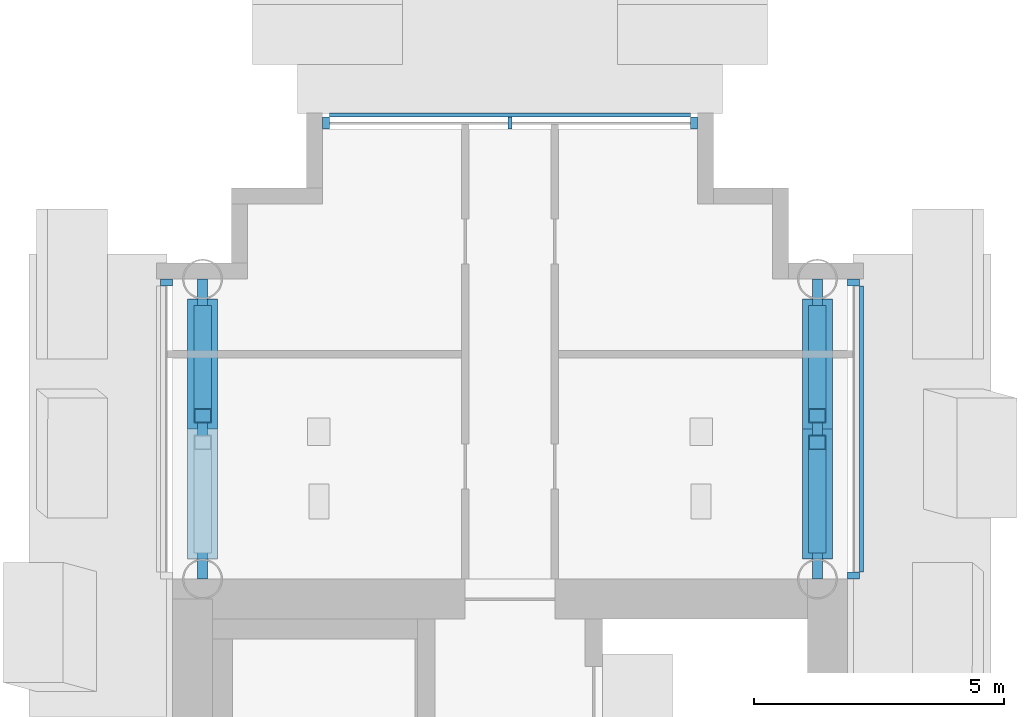
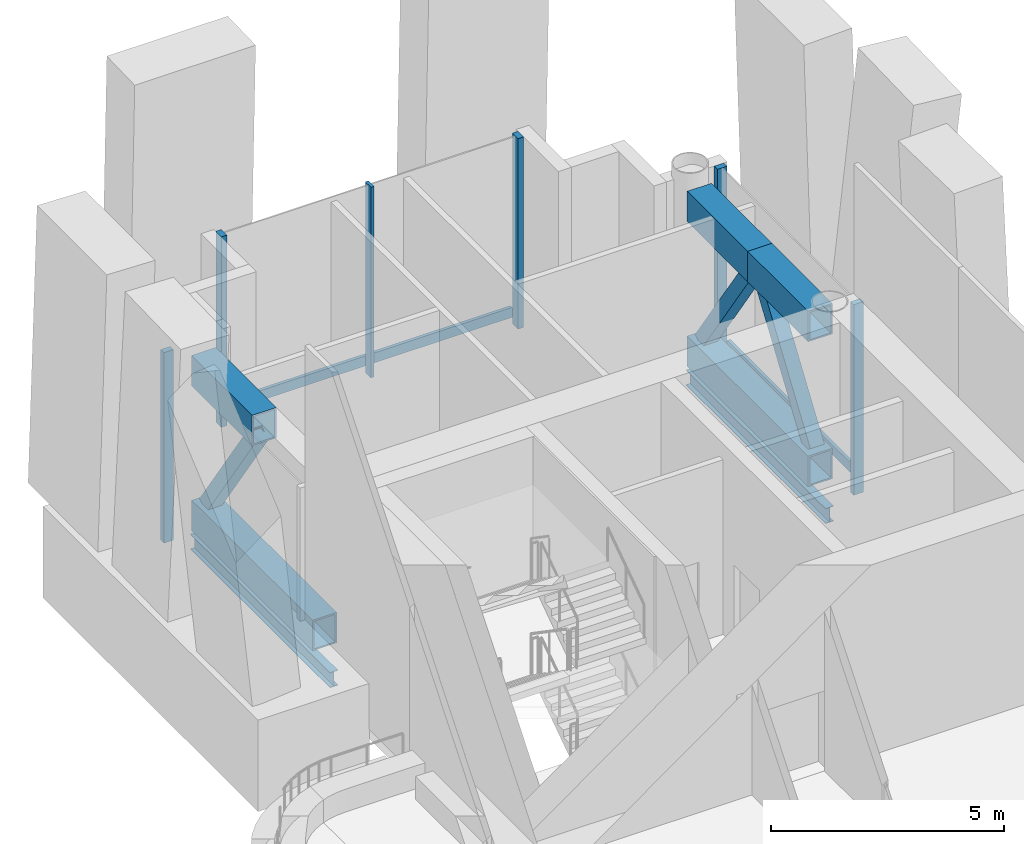
# One storey, part 8 of 34: 16 members, 2 beams, 3 elements without a shape of their own.
"""IFC4 building model written with IfcOpenShell, lengths in metres."""

from ifc_helpers import new_model, si_unit, direction, frame, origin, origin_2d, place, context, subcontext, project, spatial, rectangle, hollow_rectangle, i_section, extrude, material, layer, layer_set, material_profile, profile_set, type_object, element, aggregate, save


model = new_model("IFC4")

# Units and contexts
model_context = context("Model", 3, precision=1e-05, world=origin(), true_north=direction((0.0, 1.0)))
body_context = subcontext(model_context, "Body", "Model", "MODEL_VIEW")
ifc_project = project(units=[si_unit("LENGTHUNIT", "METRE"), si_unit("AREAUNIT", "SQUARE_METRE"), si_unit("VOLUMEUNIT", "CUBIC_METRE"), si_unit("PLANEANGLEUNIT", "RADIAN"), si_unit("MASSUNIT", "GRAM", prefix="KILO")], contexts=[model_context])

# Site, building, storey
site_placement = place(None, origin())
site = spatial("IfcSite", under=ifc_project, at=site_placement, CompositionType="ELEMENT")
building_placement = place(site_placement, origin())
building = spatial("IfcBuilding", under=site, at=building_placement, Name="Ipe Terrace Towers", CompositionType="ELEMENT")
storey_placement = place(building_placement, frame((0.0, 0.0, 128.699951171875)))
storey = spatial("IfcBuildingStorey", under=building, at=storey_placement, Name="L35", CompositionType="ELEMENT", Elevation=128.699951171875)

# Beams
ifc_material_1 = material(Name="Steel S355", Category="steel")
ifc_material_profile_1 = material_profile(ifc_material_1, i_section(OverallWidth=0.199951171875, OverallDepth=0.39990234375, WebThickness=0.008056640625, FlangeThickness=0.012939453125, at=origin_2d()), Name="H-400x200x8x13")
ifc_profile_set_1 = profile_set([ifc_material_profile_1], Name="Steel S355")
beam_type = type_object("IfcBeamType", Name="H06 EDGE BEAM H-400x200x8x13", PredefinedType="BEAM", material=ifc_profile_set_1)
for number, where, z_axis, x_axis, name in (
    (1, (42.14990234375, 15.75, -0.599853515625), (0.0, 1.0, 0.0), (-1.0, 0.0, 0.0), "Edge beam T2-EB-A01-A03"),
    (2, (29.85009765625, 15.75, -0.599853515625), (0.0, 1.0, 0.0), (-1.0, 0.0, 0.0), "Edge beam T2-EB-A02-A04"),
):
    element("IfcBeam", number, at=place(storey_placement, frame(where, z_axis=z_axis, x_axis=x_axis)), inside=storey, type_object=beam_type, Name=name, PredefinedType="BEAM", context=body_context, shape_type="SweptSolid", body=[
        extrude(i_section(OverallWidth=0.199951171875, OverallDepth=0.39990234375, WebThickness=0.008056640625, FlangeThickness=0.012939453125, at=origin_2d()), origin(), (0.0, 0.0, 1.0), 6.0),
    ])

# Members
ifc_material_2 = material(Name="Steel S355", Category="steel")
ifc_material_profile_2 = material_profile(ifc_material_2, hollow_rectangle(XDim=0.35009765625, YDim=0.35009765625, WallThickness=0.02001953125, at=origin_2d()), Name="OUTRIGGER-BRACE BOX 350x350x20")
ifc_profile_set_2 = profile_set([ifc_material_profile_2], Name="Steel S355")
member_type_1 = type_object("IfcMemberType", Name="OUTRIGGER-BRACE BOX 350x350x20", PredefinedType="BRACE", material=ifc_profile_set_2)
for number, where, z_axis, x_axis, name in (
    (3, (29.85009765625, 21.0830078125, 0.780029296875), (0.0, -0.56206654505, 0.827092013585), (1.0, 0.0, 0.0), "T2-OR-L35-197 diagonal"),
    (4, (42.14990234375, 16.4169921875, 0.780029296875), (0.0, 0.56206654505, 0.827092013585), (-1.0, 0.0, 0.0), "T2-OR-L35-201 diagonal"),
    (5, (42.14990234375, 21.0830078125, 0.780029296875), (0.0, -0.56206654505, 0.827092013585), (1.0, 0.0, 0.0), "T2-OR-L35-202 diagonal"),
):
    element("IfcMember", number, at=place(storey_placement, frame(where, z_axis=z_axis, x_axis=x_axis)), inside=storey, type_object=member_type_1, Name=name, PredefinedType="BRACE", context=body_context, shape_type="SweptSolid", body=[
        extrude(hollow_rectangle(XDim=0.35009765625, YDim=0.35009765625, WallThickness=0.02001953125, at=origin_2d()), origin(), (0.0, 0.0, 1.0), 3.675537109375),
    ])
ifc_material_3 = material(Name="Steel S355", Category="steel")
ifc_material_profile_3 = material_profile(ifc_material_3, hollow_rectangle(XDim=0.60009765625, YDim=0.800048828125, WallThickness=0.0400390625, at=origin_2d()), Name="OUTRIGGER-CHORD BOX 600x800x40")
ifc_profile_set_3 = profile_set([ifc_material_profile_3], Name="Steel S355")
member_type_2 = type_object("IfcMemberType", Name="OUTRIGGER-CHORD BOX 600x800x40", PredefinedType="CHORD", material=ifc_profile_set_3)
member_1_placement = place(storey_placement, frame((29.85009765625, 16.14990234375, 0.400146484375), z_axis=(0.0, 1.0, 0.0), x_axis=(-1.0, 0.0, 0.0)))
element("IfcMember", 6, at=member_1_placement, inside=storey, type_object=member_type_2, Name="T2-OR-L35-195 bottom chord", PredefinedType="CHORD", context=body_context, shape_type="SweptSolid", body=[
    extrude(hollow_rectangle(XDim=0.60009765625, YDim=0.800048828125, WallThickness=0.0400390625, at=origin_2d()), origin(), (0.0, 0.0, 1.0), 5.2001953125),
])
member_2_placement = place(storey_placement, frame((29.85009765625, 18.75, 4.199951171875), z_axis=(0.0, 1.0, 0.0), x_axis=(-1.0, 0.0, 0.0)))
element("IfcMember", 7, at=member_2_placement, inside=storey, type_object=member_type_2, Name="T2-OR-L35-199 top chord", PredefinedType="CHORD", context=body_context, shape_type="SweptSolid", body=[
    extrude(hollow_rectangle(XDim=0.60009765625, YDim=0.800048828125, WallThickness=0.0400390625, at=origin_2d()), origin(), (0.0, 0.0, 1.0), 2.60009765625),
])
member_3_placement = place(storey_placement, frame((42.14990234375, 16.14990234375, 0.400146484375), z_axis=(0.0, 1.0, 0.0), x_axis=(-1.0, 0.0, 0.0)))
element("IfcMember", 8, at=member_3_placement, inside=storey, type_object=member_type_2, Name="T2-OR-L35-200 bottom chord", PredefinedType="CHORD", context=body_context, shape_type="SweptSolid", body=[
    extrude(hollow_rectangle(XDim=0.60009765625, YDim=0.800048828125, WallThickness=0.0400390625, at=origin_2d()), origin(), (0.0, 0.0, 1.0), 5.2001953125),
])
for number, where, z_axis, x_axis, name in (
    (9, (42.14990234375, 16.14990234375, 4.199951171875), (0.0, 1.0, 0.0), (-1.0, 0.0, 0.0), "T2-OR-L35-203 top chord"),
    (10, (42.14990234375, 18.75, 4.199951171875), (0.0, 1.0, 0.0), (-1.0, 0.0, 0.0), "T2-OR-L35-204 top chord"),
):
    element("IfcMember", number, at=place(storey_placement, frame(where, z_axis=z_axis, x_axis=x_axis)), inside=storey, type_object=member_type_2, Name=name, PredefinedType="CHORD", context=body_context, shape_type="SweptSolid", body=[
        extrude(hollow_rectangle(XDim=0.60009765625, YDim=0.800048828125, WallThickness=0.0400390625, at=origin_2d()), origin(), (0.0, 0.0, 1.0), 2.60009765625),
    ])

# Curtain wall, members
ifc_material_4 = material(Name="Aluminium alloy 6063-T6", Category="aluminium")
ifc_layer = layer(ifc_material_4, 0.320068359375)
ifc_layer_set = layer_set([ifc_layer], Name="REFUGE FLOOR CURTAIN WALL")
curtain_wall_type = type_object("IfcCurtainWallType", Name="REFUGE FLOOR CURTAIN WALL", PredefinedType="NOTDEFINED", material=ifc_layer_set)
curtain_wall_1_placement = place(storey_placement, origin())
curtain_wall_1 = element("IfcCurtainWall", 11, at=curtain_wall_1_placement, inside=storey, type_object=curtain_wall_type, Name="T2-CW-L35-16b curtain wall", PredefinedType="NOTDEFINED")
ifc_material_5 = material(Name="Aluminium alloy 6063-T6", Category="aluminium")
ifc_material_profile_4 = material_profile(ifc_material_5, rectangle(XDim=0.239990234375, YDim=0.139892578125, at=origin_2d()), Name="REFUGE FLOOR CORNER MULLION 240 x 140")
ifc_profile_set_4 = profile_set([ifc_material_profile_4], Name="Aluminium alloy 6063-T6")
member_type_3 = type_object("IfcMemberType", Name="REFUGE FLOOR CORNER MULLION 240 x 140", PredefinedType="MULLION", material=ifc_profile_set_4)
member_4_placement = place(storey_placement, frame((42.8701171875, 15.821044921875, -0.300048828125), z_axis=(0.0, 0.0, 1.0), x_axis=(1.0, 0.0, 0.0)))
member_4 = element("IfcMember", 12, at=member_4_placement, type_object=member_type_3, Name="T2-CW-L35-16b mullion 1", PredefinedType="MULLION", context=body_context, shape_type="SweptSolid", body=[
    extrude(rectangle(XDim=0.239990234375, YDim=0.139892578125, at=origin_2d()), origin(), (0.0, 0.0, 1.0), 5.0),
])
member_5_placement = place(storey_placement, frame((42.8701171875, 21.679931640625, -0.300048828125), z_axis=(0.0, 0.0, 1.0), x_axis=(1.0, 0.0, 0.0)))
member_5 = element("IfcMember", 13, at=member_5_placement, type_object=member_type_3, Name="T2-CW-L35-16b mullion 2", PredefinedType="MULLION", context=body_context, shape_type="SweptSolid", body=[
    extrude(rectangle(XDim=0.239990234375, YDim=0.139892578125, at=origin_2d()), origin(), (0.0, 0.0, 1.0), 5.0),
])

curtain_wall_2_placement = place(storey_placement, origin())
curtain_wall_2 = element("IfcCurtainWall", 14, at=curtain_wall_2_placement, inside=storey, type_object=curtain_wall_type, Name="T2-CW-L35-21a curtain wall", PredefinedType="NOTDEFINED")
member_6_placement = place(storey_placement, frame((39.679931640625, 24.8701171875, -0.300048828125), z_axis=(0.0, 0.0, 1.0), x_axis=(0.0, 1.0, 0.0)))
member_6 = element("IfcMember", 15, at=member_6_placement, type_object=member_type_3, Name="T2-CW-L35-21a mullion 1", PredefinedType="MULLION", context=body_context, shape_type="SweptSolid", body=[
    extrude(rectangle(XDim=0.239990234375, YDim=0.139892578125, at=origin_2d()), origin(), (0.0, 0.0, 1.0), 5.0),
])
member_7_placement = place(storey_placement, frame((32.320068359375, 24.8701171875, -0.300048828125), z_axis=(0.0, 0.0, 1.0), x_axis=(0.0, 1.0, 0.0)))
member_7 = element("IfcMember", 16, at=member_7_placement, type_object=member_type_3, Name="T2-CW-L35-21a mullion 3", PredefinedType="MULLION", context=body_context, shape_type="SweptSolid", body=[
    extrude(rectangle(XDim=0.239990234375, YDim=0.139892578125, at=origin_2d()), origin(), (0.0, 0.0, 1.0), 5.0),
])

# Curtain wall, member
curtain_wall_3_placement = place(storey_placement, origin())
curtain_wall_3 = element("IfcCurtainWall", 17, at=curtain_wall_3_placement, inside=storey, type_object=curtain_wall_type, Name="T2-CW-L35-26a curtain wall", PredefinedType="NOTDEFINED")
member_8_placement = place(storey_placement, frame((29.1298828125, 21.679931640625, -0.300048828125), z_axis=(0.0, 0.0, 1.0), x_axis=(-1.0, 0.0, 0.0)))
member_8 = element("IfcMember", 18, at=member_8_placement, type_object=member_type_3, Name="T2-CW-L35-26a mullion 1", PredefinedType="MULLION", context=body_context, shape_type="SweptSolid", body=[
    extrude(rectangle(XDim=0.239990234375, YDim=0.139892578125, at=origin_2d()), origin(), (0.0, 0.0, 1.0), 5.0),
])
aggregate(curtain_wall_3, [member_8])

# Member
ifc_material_6 = material(Name="Aluminium alloy 6063-T6", Category="aluminium")
ifc_material_profile_5 = material_profile(ifc_material_6, rectangle(XDim=0.239990234375, YDim=0.074951171875, at=origin_2d()), Name="REFUGE FLOOR MULLION 240 x 75")
ifc_profile_set_5 = profile_set([ifc_material_profile_5], Name="Aluminium alloy 6063-T6")
member_type_4 = type_object("IfcMemberType", Name="REFUGE FLOOR MULLION 240 x 75", PredefinedType="MULLION", material=ifc_profile_set_5)
member_9_placement = place(storey_placement, frame((36.0, 24.8701171875, -0.300048828125), z_axis=(0.0, 0.0, 1.0), x_axis=(0.0, 1.0, 0.0)))
member_9 = element("IfcMember", 19, at=member_9_placement, type_object=member_type_4, Name="T2-CW-L35-21a mullion 2", PredefinedType="MULLION", context=body_context, shape_type="SweptSolid", body=[
    extrude(rectangle(XDim=0.239990234375, YDim=0.074951171875, at=origin_2d()), origin(), (0.0, 0.0, 1.0), 5.0),
])

ifc_material_7 = material(Name="Aluminium alloy 6063-T6", Category="aluminium")
ifc_material_profile_6 = material_profile(ifc_material_7, rectangle(XDim=0.080078125, YDim=0.260009765625, at=origin_2d()), Name="REFUGE FLOOR TRANSOM 80 x 260")
ifc_profile_set_6 = profile_set([ifc_material_profile_6], Name="Aluminium alloy 6063-T6")
member_type_5 = type_object("IfcMemberType", Name="REFUGE FLOOR TRANSOM 80 x 260", PredefinedType="USERDEFINED", material=ifc_profile_set_6)
member_10_placement = place(storey_placement, frame((43.030029296875, 15.89111328125, 0.0), z_axis=(0.0, 1.0, 0.0), x_axis=(1.0, 0.0, 0.0)))
member_10 = element("IfcMember", 20, at=member_10_placement, type_object=member_type_5, Name="T2-CW-L35-16b transom", ObjectType="TRANSOM", PredefinedType="USERDEFINED", context=body_context, shape_type="SweptSolid", body=[
    extrude(rectangle(XDim=0.080078125, YDim=0.260009765625, at=origin_2d()), origin(), (0.0, 0.0, 1.0), 5.718994140625),
])

aggregate(curtain_wall_1, [member_4, member_5, member_10])

member_11_placement = place(storey_placement, frame((39.610107421875, 25.030029296875, 0.0), z_axis=(-1.0, 0.0, 0.0), x_axis=(0.0, 1.0, 0.0)))
member_11 = element("IfcMember", 21, at=member_11_placement, type_object=member_type_5, Name="T2-CW-L35-21a transom", ObjectType="TRANSOM", PredefinedType="USERDEFINED", context=body_context, shape_type="SweptSolid", body=[
    extrude(rectangle(XDim=0.080078125, YDim=0.260009765625, at=origin_2d()), origin(), (0.0, 0.0, 1.0), 7.22021484375),
])

aggregate(curtain_wall_2, [member_6, member_9, member_7, member_11])

save(model, "model.ifc")
